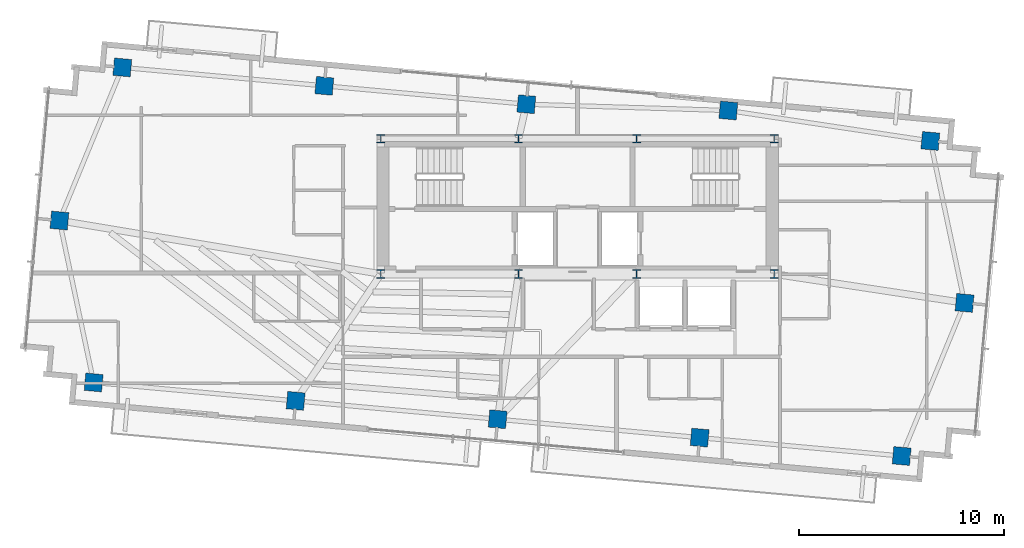
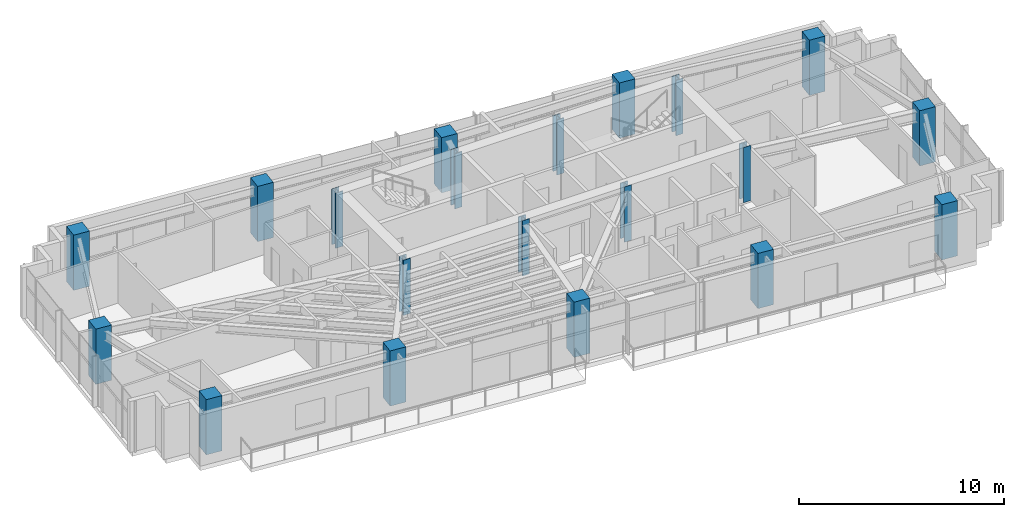
# One storey, part 1 of 22: 20 columns.
"""IFC4 building model written with IfcOpenShell, lengths in metres."""

from ifc_helpers import new_model, si_unit, direction, frame, origin, origin_2d, place, context, subcontext, project, spatial, rectangle, i_section, extrude, source, transform, mapped, material, material_profile, profile_set, type_object, type_shapes, element, save


model = new_model("IFC4")

# Units and contexts
model_context = context("Model", 3, precision=1e-05, world=origin(), true_north=direction((0.0, 1.0)))
body_context = subcontext(model_context, "Body", "Model", "MODEL_VIEW")
ifc_project = project(units=[si_unit("LENGTHUNIT", "METRE"), si_unit("AREAUNIT", "SQUARE_METRE"), si_unit("VOLUMEUNIT", "CUBIC_METRE"), si_unit("PLANEANGLEUNIT", "RADIAN"), si_unit("MASSUNIT", "GRAM", prefix="KILO")], contexts=[model_context])

# Site, building, storey
site_placement = place(None, origin())
site = spatial("IfcSite", under=ifc_project, at=site_placement, CompositionType="ELEMENT")
building_placement = place(site_placement, origin())
building = spatial("IfcBuilding", under=site, at=building_placement, Name="Astriad Promenade Condominiums", CompositionType="ELEMENT")
storey_placement = place(building_placement, frame((0.0, 0.0, 229.800048828125)))
storey = spatial("IfcBuildingStorey", under=building, at=storey_placement, Name="L66", CompositionType="ELEMENT", Elevation=229.800048828125)

# Columns
ifc_material_1 = material(Name="Steel ASTM A992 Grade 50", Category="steel")
ifc_material_profile_1 = material_profile(ifc_material_1, i_section(OverallWidth=0.4091796875, OverallDepth=0.42529296875, WebThickness=0.03271484375, FlangeThickness=0.052490234375, FilletRadius=0.017822265625, at=origin_2d()), Name="W14X283")
ifc_profile_set_1 = profile_set([ifc_material_profile_1], Name="Steel ASTM A992 Grade 50")
column_type_1 = type_object("IfcColumnType", Name="STEEL CORE PILASTER W14X283", PredefinedType="PILASTER", material=ifc_profile_set_1)
shared_shape_1 = source(origin(), body_context, "Body", "SweptSolid", [
    extrude(i_section(OverallWidth=0.4091796875, OverallDepth=0.42529296875, WebThickness=0.03271484375, FlangeThickness=0.052490234375, FilletRadius=0.017822265625, at=origin_2d()), origin(), (0.0, 0.0, 1.0), 3.2958984375),
])
type_shapes(column_type_1, [shared_shape_1])
for number, where, z_axis, x_axis, name in (
    (1, (26.39990234375, 17.39990234375, 0.001953125), (0.0, 0.0, 1.0), (1.0, 0.0, 0.0), "Core Pilaster Column CP1 (L66)"),
    (2, (33.1201171875, 17.39990234375, 0.001953125), (0.0, 0.0, 1.0), (1.0, 0.0, 0.0), "Core Pilaster Column CP2 (L66)"),
    (3, (38.8798828125, 17.39990234375, 0.001953125), (0.0, 0.0, 1.0), (1.0, 0.0, 0.0), "Core Pilaster Column CP3 (L66)"),
    (4, (45.60009765625, 17.39990234375, 0.001953125), (0.0, 0.0, 1.0), (1.0, 0.0, 0.0), "Core Pilaster Column CP4 (L66)"),
    (5, (26.39990234375, 24.0, 0.001953125), (0.0, 0.0, 1.0), (1.0, 0.0, 0.0), "Core Pilaster Column CP5 (L66)"),
    (6, (33.1201171875, 24.0, 0.001953125), (0.0, 0.0, 1.0), (1.0, 0.0, 0.0), "Core Pilaster Column CP6 (L66)"),
    (7, (38.8798828125, 24.0, 0.001953125), (0.0, 0.0, 1.0), (1.0, 0.0, 0.0), "Core Pilaster Column CP7 (L66)"),
    (8, (45.60009765625, 24.0, 0.001953125), (0.0, 0.0, 1.0), (1.0, 0.0, 0.0), "Core Pilaster Column CP8 (L66)"),
):
    element("IfcColumn", number, at=place(storey_placement, frame(where, z_axis=z_axis, x_axis=x_axis)), inside=storey, type_object=column_type_1, Name=name, PredefinedType="PILASTER", context=body_context, shape_type="MappedRepresentation", body=[
        mapped(shared_shape_1, transform((0.0, 0.0, 0.0), scale=1.0)),
    ])
ifc_material_2 = material(Name="Concrete C50/60", Category="concrete")
ifc_material_profile_2 = material_profile(ifc_material_2, rectangle(XDim=0.85009765625, YDim=0.85009765625, at=origin_2d()), Name="RC-COL-850X850")
ifc_profile_set_2 = profile_set([ifc_material_profile_2], Name="Concrete C50/60")
column_type_2 = type_object("IfcColumnType", Name="CONCRETE TOWER COLUMN 850X850", PredefinedType="COLUMN", material=ifc_profile_set_2)
shared_shape_2 = source(origin(), body_context, "Body", "SweptSolid", [
    extrude(rectangle(XDim=0.85009765625, YDim=0.85009765625, at=origin_2d()), origin(), (0.0, 0.0, 1.0), 3.2958984375),
])
type_shapes(column_type_2, [shared_shape_2])
for number, where, z_axis, x_axis, name in (
    (9, (12.3818359375, 12.106201171875, 0.001953125), (0.0, 0.0, 1.0), (0.995884398616, -0.090632580198, 0.0), "Perimeter Column PC01 (L66)"),
    (10, (22.2412109375, 11.208984375, 0.001953125), (0.0, 0.0, 1.0), (0.995884398616, -0.090632580198, 0.0), "Perimeter Column PC02 (L66)"),
    (11, (32.100341796875, 10.311767578125, 0.001953125), (0.0, 0.0, 1.0), (0.995884398616, -0.090632580198, 0.0), "Perimeter Column PC03 (L66)"),
    (12, (41.959716796875, 9.41455078125, 0.001953125), (0.0, 0.0, 1.0), (0.995884398616, -0.090632580198, 0.0), "Perimeter Column PC04 (L66)"),
    (13, (51.81884765625, 8.51708984375, 0.001953125), (0.0, 0.0, 1.0), (0.995884398616, -0.090632580198, 0.0), "Perimeter Column PC05 (L66)"),
    (14, (13.78125, 27.48291015625, 0.001953125), (0.0, 0.0, 1.0), (0.995884398616, -0.090632580198, 0.0), "Perimeter Column PC06 (L66)"),
    (15, (23.640380859375, 26.58544921875, 0.001953125), (0.0, 0.0, 1.0), (0.995884398616, -0.090632580198, 0.0), "Perimeter Column PC07 (L66)"),
    (16, (33.499755859375, 25.688232421875, 0.001953125), (0.0, 0.0, 1.0), (0.995884398616, -0.090632580198, 0.0), "Perimeter Column PC08 (L66)"),
    (17, (43.35888671875, 25.3798828125, 0.001953125), (0.0, 0.0, 1.0), (0.995884398616, -0.090632580198, 0.0), "Perimeter Column PC09 (L66)"),
    (18, (53.21826171875, 23.893798828125, 0.001953125), (0.0, 0.0, 1.0), (0.995884398616, -0.090632580198, 0.0), "Perimeter Column PC10 (L66)"),
    (19, (10.711181640625, 20.01025390625, 0.001953125), (0.0, 0.0, 1.0), (0.995884398616, -0.090632580198, 0.0), "Perimeter Column PC11 (L66)"),
    (20, (54.888671875, 15.98974609375, 0.001953125), (0.0, 0.0, 1.0), (0.995884398616, -0.090632580198, 0.0), "Perimeter Column PC12 (L66)"),
):
    element("IfcColumn", number, at=place(storey_placement, frame(where, z_axis=z_axis, x_axis=x_axis)), inside=storey, type_object=column_type_2, Name=name, PredefinedType="COLUMN", context=body_context, shape_type="MappedRepresentation", body=[
        mapped(shared_shape_2, transform((0.0, 0.0, 0.0), scale=1.0)),
    ])

save(model, "model.ifc")
